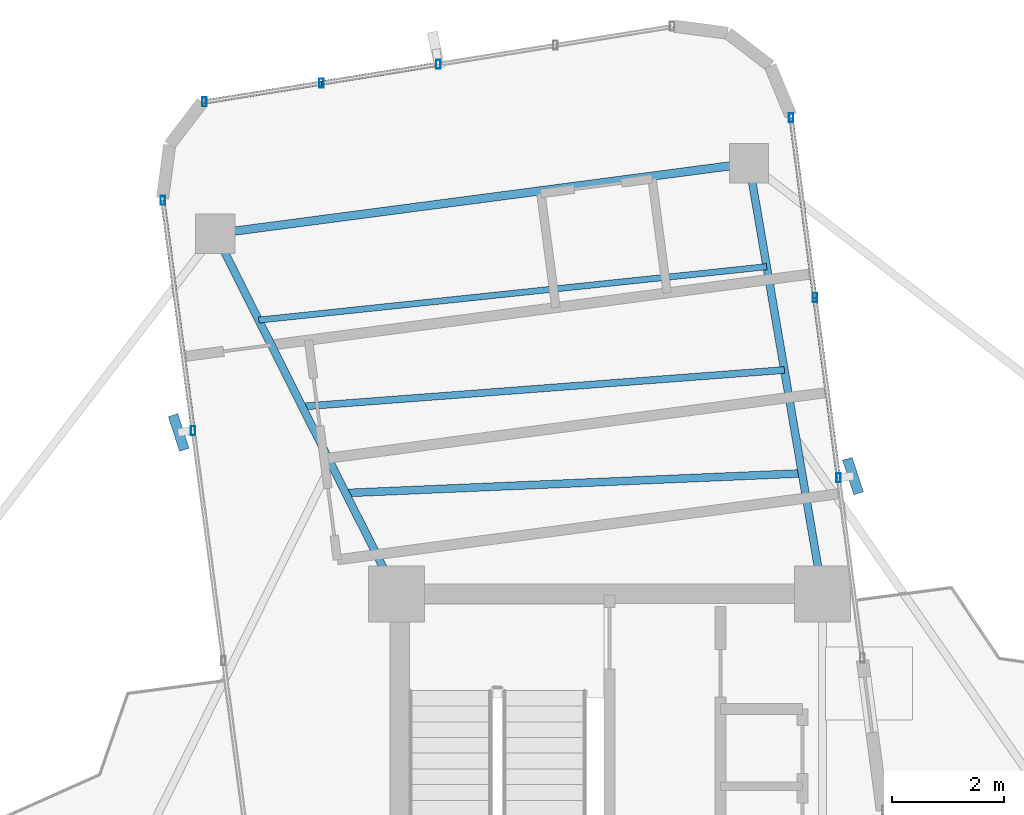
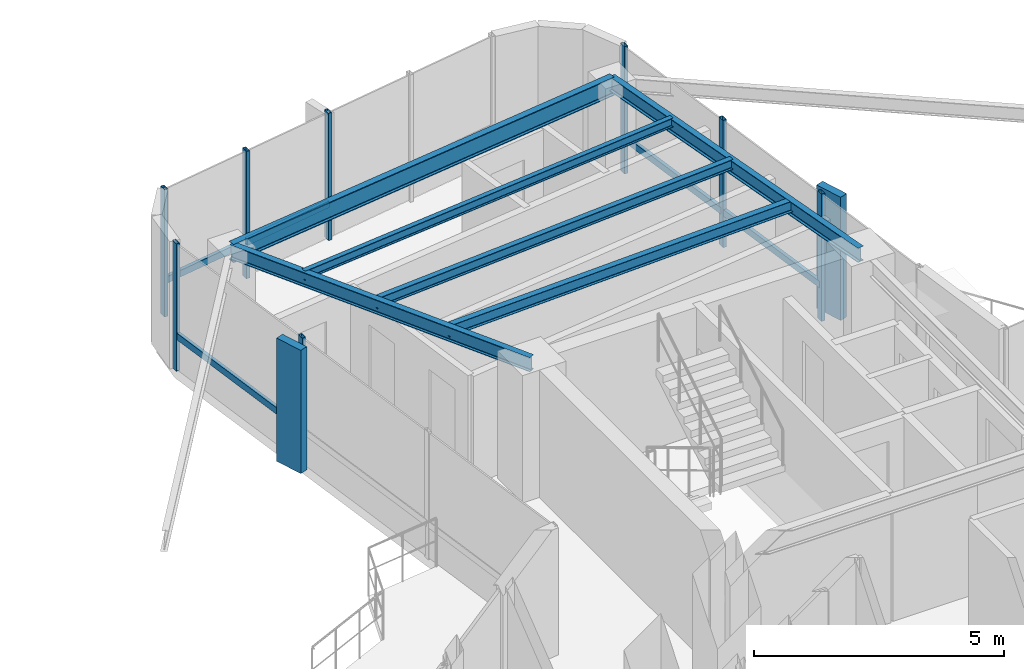
# One storey, part 13 of 21: 15 members, 6 beams, 3 elements without a shape of their own.
"""IFC4 building model written with IfcOpenShell, lengths in metres."""

import ifcopenshell
import ifcopenshell.guid

model = None  # the IFC model being written
_history = None  # IfcOwnerHistory: only IFC2X3 demands one
_inside = {}  # id of a spatial element -> (the spatial element, [elements in it])
_under = {}  # id of a project, library or spatial element -> (it, [spatial elements below it])
_declared = {}  # id of a project -> (the project, [libraries it declares])
_typed = {}  # id of a type object -> (the type object, [elements of that type])
_made_of = {}  # id of a material, layer set ... -> (it, [elements and type objects made of it])


def new_model(schema):
    """Start an empty IFC model of exactly this schema.

    Asked for "IFC4X3", IfcOpenShell would pick the latest addendum, in which some entities
    have other attributes; the version numbers below select the first issue.
    IFC2X3 requires an IfcOwnerHistory on every rooted entity: one is made here for all.
    """
    global model, _history
    if schema == "IFC4X3":
        model = ifcopenshell.file(schema_version=(4, 3, 0, 0))
    else:
        model = ifcopenshell.file(schema=schema)
    _inside.clear()
    _under.clear()
    _declared.clear()
    _typed.clear()
    _made_of.clear()
    _history = None
    if model.schema == "IFC2X3":
        org = make("IfcOrganization", Name="unknown")
        user = make(
            "IfcPersonAndOrganization",
            ThePerson=make("IfcPerson", FamilyName="unknown"),
            TheOrganization=org,
        )
        app = make(
            "IfcApplication",
            ApplicationDeveloper=org,
            Version="unknown",
            ApplicationFullName="unknown",
            ApplicationIdentifier="unknown",
        )
        _history = make(
            "IfcOwnerHistory",
            OwningUser=user,
            OwningApplication=app,
            ChangeAction="ADDED",
            CreationDate=0,
        )
    return model


def make(cls, **values):
    """One entity of the class cls with the attributes given. An attribute that is None is left unset."""
    return model.create_entity(
        cls, **{name: value for name, value in values.items() if value is not None}
    )


def rooted(cls, **values):
    """An entity with a GlobalId (a new one), such as an element, a storey or a relation."""
    return make(cls, GlobalId=ifcopenshell.guid.new(), OwnerHistory=_history, **values)


def si_unit(unit_type, name, prefix=None):
    """IfcSIUnit, for example si_unit("LENGTHUNIT", "METRE", prefix="MILLI")."""
    return make("IfcSIUnit", UnitType=unit_type, Prefix=prefix, Name=name)


def assignment(units):
    """IfcUnitAssignment: the units of a project."""
    return None if units is None else make("IfcUnitAssignment", Units=units)


def point(xyz):
    """IfcCartesianPoint."""
    return None if xyz is None else make("IfcCartesianPoint", Coordinates=xyz)


def direction(xyz):
    """IfcDirection."""
    return None if xyz is None else make("IfcDirection", DirectionRatios=xyz)


def frame(location, z_axis=None, x_axis=None):
    """IfcAxis2Placement3D, a coordinate frame: its origin and axes. An axis left out is left unset."""
    return make(
        "IfcAxis2Placement3D",
        Location=point(location),
        Axis=direction(z_axis),
        RefDirection=direction(x_axis),
    )


def frame_2d(location, x_axis=None):
    """IfcAxis2Placement2D, a coordinate frame in the plane: its origin and x axis."""
    return make(
        "IfcAxis2Placement2D", Location=point(location), RefDirection=direction(x_axis)
    )


def origin():
    """The frame at (0, 0, 0) with its axes left unset."""
    return frame((0.0, 0.0, 0.0))


def origin_2d():
    """The frame at (0, 0) in the plane with its x axis left unset."""
    return frame_2d((0.0, 0.0))


def place(relative_to, where):
    """IfcLocalPlacement: puts the frame where relative to a parent placement (None: the world)."""
    return make(
        "IfcLocalPlacement", PlacementRelTo=relative_to, RelativePlacement=where
    )


def context(
    kind, dimensions, precision=None, world=None, true_north=None, identifier=None
):
    """IfcGeometricRepresentationContext, for example the 3D "Model" context."""
    return make(
        "IfcGeometricRepresentationContext",
        ContextIdentifier=identifier,
        ContextType=kind,
        CoordinateSpaceDimension=dimensions,
        Precision=precision,
        WorldCoordinateSystem=world,
        TrueNorth=true_north,
    )


def subcontext(parent, identifier, kind, view, scale=None):
    """IfcGeometricRepresentationSubContext, for example "Body" below "Model"."""
    return make(
        "IfcGeometricRepresentationSubContext",
        ContextIdentifier=identifier,
        ContextType=kind,
        ParentContext=parent,
        TargetScale=scale,
        TargetView=view,
    )


def project(units=None, contexts=None):
    """IfcProject with its units and contexts."""
    return rooted(
        "IfcProject",
        Name="project",
        RepresentationContexts=contexts,
        UnitsInContext=assignment(units),
    )


def spatial(cls, under=None, at=None, **own):
    """A site, building, storey or space (cls), placed at a placement, below another one or the project."""
    s = rooted(cls, ObjectPlacement=at, **own)
    if under is not None:
        _under.setdefault(under.id(), (under, []))[1].append(s)
    return s


def profile(cls, at=None, kind="AREA", **sizes):
    """A parametric profile (cls). Its sizes go by their IFC names, for example OverallWidth=200.0."""
    return make(cls, ProfileType=kind, Position=at, **sizes)


def rectangle(**sizes):
    """IfcRectangleProfileDef."""
    return profile("IfcRectangleProfileDef", **sizes)


def hollow_rectangle(**sizes):
    """IfcRectangleHollowProfileDef."""
    return profile("IfcRectangleHollowProfileDef", **sizes)


def i_section(**sizes):
    """IfcIShapeProfileDef."""
    return profile("IfcIShapeProfileDef", **sizes)


def extrude(swept, where, along, depth):
    """IfcExtrudedAreaSolid: the profile swept, set in the frame where, extruded along a direction by depth."""
    return make(
        "IfcExtrudedAreaSolid",
        SweptArea=swept,
        Position=where,
        ExtrudedDirection=direction(along),
        Depth=depth,
    )


def shape(context_of_items, identifier, shape_type, items):
    """IfcShapeRepresentation: the items that make up one representation, for example the "Body"."""
    return make(
        "IfcShapeRepresentation",
        ContextOfItems=context_of_items,
        RepresentationIdentifier=identifier,
        RepresentationType=shape_type,
        Items=items,
    )


def source(mapping_origin, context_of_items, identifier, shape_type, items):
    """IfcRepresentationMap: a shape defined once, which mapped items show again and again."""
    return make(
        "IfcRepresentationMap",
        MappingOrigin=mapping_origin,
        MappedRepresentation=shape(context_of_items, identifier, shape_type, items),
    )


def transform(
    local_origin,
    x_axis=None,
    y_axis=None,
    z_axis=None,
    scale=None,
    scale2=None,
    scale3=None,
    uniform=True,
):
    """IfcCartesianTransformationOperator3D, or its non-uniform kind. x_axis, y_axis, z_axis: its Axis1, 2, 3."""
    if uniform:
        return make(
            "IfcCartesianTransformationOperator3D",
            Axis1=direction(x_axis),
            Axis2=direction(y_axis),
            LocalOrigin=point(local_origin),
            Scale=scale,
            Axis3=direction(z_axis),
        )
    return make(
        "IfcCartesianTransformationOperator3DnonUniform",
        Axis1=direction(x_axis),
        Axis2=direction(y_axis),
        LocalOrigin=point(local_origin),
        Scale=scale,
        Axis3=direction(z_axis),
        Scale2=scale2,
        Scale3=scale3,
    )


def mapped(mapping_source, mapping_target):
    """IfcMappedItem: shows the shape of a source again, moved by a transform."""
    return make(
        "IfcMappedItem", MappingSource=mapping_source, MappingTarget=mapping_target
    )


def material(Name=None, Category=None):
    """IfcMaterial."""
    return make("IfcMaterial", Name=Name, Category=Category)


def material_profile(
    of_material, cross_section, Name=None, Category=None, Priority=None
):
    """IfcMaterialProfile: a cross section and its material."""
    return make(
        "IfcMaterialProfile",
        Name=Name,
        Material=of_material,
        Profile=cross_section,
        Priority=Priority,
        Category=Category,
    )


def profile_set(profiles, Name=None, composite=None):
    """IfcMaterialProfileSet."""
    return make(
        "IfcMaterialProfileSet",
        Name=Name,
        MaterialProfiles=profiles,
        CompositeProfile=composite,
    )


def made_of(thing, what):
    """Note that an element or type object is made of a material, layer set ...; save() writes the relation."""
    if what is not None:
        _made_of.setdefault(what.id(), (what, []))[1].append(thing)
    return thing


def type_object(cls, material=None, **own):
    """A type object (cls), such as IfcWallType, which elements share."""
    return made_of(rooted(cls, **own), material)


def element(
    cls,
    number,
    at=None,
    inside=None,
    cuts=None,
    type_object=None,
    material=None,
    context=None,
    identifier="Body",
    shape_type=None,
    held_by="IfcProductDefinitionShape",
    body=None,
    shapes=None,
    **own,
):
    """One element of the class cls, such as IfcWall. Its Tag is "e" and its number.

    at: its placement. inside: the storey or other place that contains it. cuts: it is an
    opening in that element (IfcRelVoidsElement). A single representation is given by context,
    identifier, shape_type and body (its items); several are given by shapes. held_by: the class
    of the entity that holds the representations. save() writes the other relations.
    """
    e = rooted(cls, Tag="e%d" % number, ObjectPlacement=at, **own)
    if body is not None:
        shapes = [shape(context, identifier, shape_type, body)]
    if shapes is not None:
        e.Representation = make(held_by, Representations=shapes)
    if inside is not None:
        _inside.setdefault(inside.id(), (inside, []))[1].append(e)
    if cuts is not None:
        rooted(
            "IfcRelVoidsElement", RelatingBuildingElement=cuts, RelatedOpeningElement=e
        )
    if type_object is not None:
        _typed.setdefault(type_object.id(), (type_object, []))[1].append(e)
    return made_of(e, material)


def aggregate(whole, parts):
    """IfcRelAggregates: a whole, such as a stair, and the parts it consists of."""
    return rooted("IfcRelAggregates", RelatingObject=whole, RelatedObjects=parts)


def save(model, path):
    """Write the relations noted so far, then the file.

    IfcRelAggregates (storeys below a building ...), IfcRelContainedInSpatialStructure (elements
    in a storey), IfcRelDefinesByType, IfcRelAssociatesMaterial and IfcRelDeclares: one each for
    every whole, place, type object, material and project.
    """
    for whole, parts in _under.values():
        aggregate(whole, parts)
    for where, things in _inside.values():
        rooted(
            "IfcRelContainedInSpatialStructure",
            RelatedElements=things,
            RelatingStructure=where,
        )
    for kind, things in _typed.values():
        rooted("IfcRelDefinesByType", RelatedObjects=things, RelatingType=kind)
    for what, things in _made_of.values():
        rooted("IfcRelAssociatesMaterial", RelatedObjects=things, RelatingMaterial=what)
    for by, libraries in _declared.values():
        rooted("IfcRelDeclares", RelatingContext=by, RelatedDefinitions=libraries)
    model.write(path)


model = new_model("IFC4")

# Units and contexts
model_context = context("Model", 3, precision=1e-05, world=origin(), true_north=direction((0.0, 1.0)))
body_context = subcontext(model_context, "Body", "Model", "MODEL_VIEW")
ifc_project = project(units=[si_unit("LENGTHUNIT", "METRE"), si_unit("AREAUNIT", "SQUARE_METRE"), si_unit("VOLUMEUNIT", "CUBIC_METRE"), si_unit("PLANEANGLEUNIT", "RADIAN"), si_unit("MASSUNIT", "GRAM", prefix="KILO")], contexts=[model_context])

# Site, building, storey
site_placement = place(None, origin())
site = spatial("IfcSite", under=ifc_project, at=site_placement, CompositionType="ELEMENT")
building_placement = place(site_placement, origin())
building = spatial("IfcBuilding", under=site, at=building_placement, Name="Sahyath Konkavel Grand Hotel", CompositionType="ELEMENT")
storey_placement = place(building_placement, frame((0.0, 0.0, 209.85009765625)))
storey = spatial("IfcBuildingStorey", under=building, at=storey_placement, Name="L58", CompositionType="ELEMENT", Elevation=209.85009765625)

# Beams
ifc_material_1 = material(Name="Steel E350", Category="steel")
ifc_material_profile_1 = material_profile(ifc_material_1, i_section(OverallWidth=0.139892578125, OverallDepth=0.35009765625, WebThickness=0.008056640625, FlangeThickness=0.01416015625, FilletRadius=0.013916015625, at=origin_2d()), Name="ISMB 350")
ifc_profile_set_1 = profile_set([ifc_material_profile_1], Name="Steel E350")
beam_type_1 = type_object("IfcBeamType", Name="BM-ISMB350", PredefinedType="BEAM", material=ifc_profile_set_1)
shared_shape_1 = source(origin(), body_context, "Body", "SweptSolid", [
    extrude(i_section(OverallWidth=0.139892578125, OverallDepth=0.35009765625, WebThickness=0.008056640625, FlangeThickness=0.01416015625, FilletRadius=0.013916015625, at=origin_2d()), origin(), (0.0, 0.0, 1.0), 7.7890625),
])
beam_1_placement = place(storey_placement, frame((3.800048828125, 10.199951171875, 2.934814453125), z_axis=(-0.168473997649, 0.985706098244, 0.0), x_axis=(-0.985706098244, -0.168473997649, 0.0)))
element("IfcBeam", 1, at=beam_1_placement, inside=storey, type_object=beam_type_1, Name="L58 Cruciform Radial Girder NA", PredefinedType="BEAM", context=body_context, shape_type="MappedRepresentation", body=[
    mapped(shared_shape_1, transform((0.0, 0.0, 0.0), scale=1.0)),
])
shared_shape_2 = source(origin(), body_context, "Body", "SweptSolid", [
    extrude(i_section(OverallWidth=0.139892578125, OverallDepth=0.35009765625, WebThickness=0.008056640625, FlangeThickness=0.01416015625, FilletRadius=0.013916015625, at=origin_2d()), origin(), (0.0, 0.0, 1.0), 7.19091796875),
])
beam_2_placement = place(storey_placement, frame((-3.800048828125, 10.199951171875, 2.934814453125), z_axis=(-0.4491817134, 0.893440422383, 0.0), x_axis=(-0.893440422383, -0.4491817134, 0.0)))
element("IfcBeam", 2, at=beam_2_placement, inside=storey, type_object=beam_type_1, Name="L58 Cruciform Radial Girder NB", PredefinedType="BEAM", context=body_context, shape_type="MappedRepresentation", body=[
    mapped(shared_shape_2, transform((0.0, 0.0, 0.0), scale=1.0)),
])
ifc_material_profile_2 = material_profile(ifc_material_1, i_section(OverallWidth=0.14990234375, OverallDepth=0.449951171875, WebThickness=0.009521484375, FlangeThickness=0.017333984375, FilletRadius=0.014892578125, at=origin_2d()), Name="ISMB 450")
ifc_profile_set_2 = profile_set([ifc_material_profile_2], Name="Steel E350")
beam_type_2 = type_object("IfcBeamType", Name="BM-ISMB450", PredefinedType="BEAM", material=ifc_profile_set_2)
shared_shape_3 = source(origin(), body_context, "Body", "SweptSolid", [
    extrude(i_section(OverallWidth=0.14990234375, OverallDepth=0.449951171875, WebThickness=0.009521484375, FlangeThickness=0.017333984375, FilletRadius=0.014892578125, at=origin_2d()), origin(), (0.0, 0.0, 1.0), 9.599853515625),
])
beam_3_placement = place(storey_placement, frame((2.48779296875, 17.877685546875, 2.885009765625), z_axis=(-0.991443125639, -0.130539375757, 0.0), x_axis=(0.130539375757, -0.991443125639, 0.0)))
element("IfcBeam", 3, at=beam_3_placement, inside=storey, type_object=beam_type_2, Name="L58 Wing Tip Edge Beam N", PredefinedType="BEAM", context=body_context, shape_type="MappedRepresentation", body=[
    mapped(shared_shape_3, transform((0.0, 0.0, 0.0), scale=1.0)),
])
ifc_material_profile_3 = material_profile(ifc_material_1, i_section(OverallWidth=0.139892578125, OverallDepth=0.27490234375, WebThickness=0.00634765625, FlangeThickness=0.0087890625, FilletRadius=0.012939453125, at=origin_2d()), Name="ISLB 275")
ifc_profile_set_3 = profile_set([ifc_material_profile_3], Name="Steel E350")
beam_type_3 = type_object("IfcBeamType", Name="BM-ISLB275", PredefinedType="BEAM", material=ifc_profile_set_3)
shared_shape_4 = source(origin(), body_context, "Body", "SweptSolid", [
    extrude(i_section(OverallWidth=0.139892578125, OverallDepth=0.27490234375, WebThickness=0.00634765625, FlangeThickness=0.0087890625, FilletRadius=0.012939453125, at=origin_2d()), origin(), (0.0, 0.0, 1.0), 8.14453125),
])
beam_4_placement = place(storey_placement, frame((3.4326171875, 12.349853515625, 2.972412109375), z_axis=(-0.999070525707, -0.043105506195, 0.0), x_axis=(0.043105506195, -0.999070525707, 0.0)))
element("IfcBeam", 4, at=beam_4_placement, inside=storey, type_object=beam_type_3, Name="L58 Secondary Floor Beam N-1", PredefinedType="BEAM", context=body_context, shape_type="MappedRepresentation", body=[
    mapped(shared_shape_4, transform((0.0, 0.0, 0.0), scale=1.0)),
])
ifc_material_profile_4 = material_profile(ifc_material_1, i_section(OverallWidth=0.125, OverallDepth=0.25, WebThickness=0.0068359375, FlangeThickness=0.012451171875, FilletRadius=0.012939453125, at=origin_2d()), Name="ISMB 250")
ifc_profile_set_4 = profile_set([ifc_material_profile_4], Name="Steel E350")
beam_type_4 = type_object("IfcBeamType", Name="BM-ISMB250", PredefinedType="BEAM", material=ifc_profile_set_4)
shared_shape_5 = source(origin(), body_context, "Body", "SweptSolid", [
    extrude(i_section(OverallWidth=0.125, OverallDepth=0.25, WebThickness=0.0068359375, FlangeThickness=0.012451171875, FilletRadius=0.012939453125, at=origin_2d()), origin(), (0.0, 0.0, 1.0), 8.6220703125),
])
beam_5_placement = place(storey_placement, frame((3.11767578125, 14.1923828125, 2.98486328125), z_axis=(-0.997140134449, -0.075574812405, 0.0), x_axis=(0.075574812405, -0.997140134449, 0.0)))
element("IfcBeam", 5, at=beam_5_placement, inside=storey, type_object=beam_type_4, Name="L58 Secondary Floor Beam N-2", PredefinedType="BEAM", context=body_context, shape_type="MappedRepresentation", body=[
    mapped(shared_shape_5, transform((0.0, 0.0, 0.0), scale=1.0)),
])
ifc_material_profile_5 = material_profile(ifc_material_1, i_section(OverallWidth=0.110107421875, OverallDepth=0.22509765625, WebThickness=0.006591796875, FlangeThickness=0.01171875, FilletRadius=0.011962890625, at=origin_2d()), Name="ISMB 225")
ifc_profile_set_5 = profile_set([ifc_material_profile_5], Name="Steel E350")
beam_type_5 = type_object("IfcBeamType", Name="BM-ISMB225", PredefinedType="BEAM", material=ifc_profile_set_5)
shared_shape_6 = source(origin(), body_context, "Body", "SweptSolid", [
    extrude(i_section(OverallWidth=0.110107421875, OverallDepth=0.22509765625, WebThickness=0.006591796875, FlangeThickness=0.01171875, FilletRadius=0.011962890625, at=origin_2d()), origin(), (0.0, 0.0, 1.0), 9.107666015625),
])
beam_6_placement = place(storey_placement, frame((2.802734375, 16.03515625, 2.997314453125), z_axis=(-0.994517344132, -0.10457175632, 0.0), x_axis=(0.10457175632, -0.994517344132, 0.0)))
element("IfcBeam", 6, at=beam_6_placement, inside=storey, type_object=beam_type_5, Name="L58 Secondary Floor Beam N-3", PredefinedType="BEAM", context=body_context, shape_type="MappedRepresentation", body=[
    mapped(shared_shape_6, transform((0.0, 0.0, 0.0), scale=1.0)),
])

# Curtain wall, members
ifc_material_2 = material(Name="Anodised Bronze Aluminium & Low-E Glazing", Category="aluminium")
curtain_wall_type = type_object("IfcCurtainWallType", Name="CW-ZONE4", PredefinedType="NOTDEFINED", material=ifc_material_2)
curtain_wall_1_placement = place(storey_placement, origin())
curtain_wall_1 = element("IfcCurtainWall", 7, at=curtain_wall_1_placement, inside=storey, type_object=curtain_wall_type, Name="L58 Unitised Curtain Wall F8", PredefinedType="NOTDEFINED")
ifc_material_3 = material(Name="Anodised Bronze Aluminium", Category="aluminium")
ifc_material_profile_6 = material_profile(ifc_material_3, hollow_rectangle(XDim=0.080078125, YDim=0.159912109375, WallThickness=0.006103515625, at=origin_2d()), Name="RHS 160x80x6")
ifc_profile_set_6 = profile_set([ifc_material_profile_6], Name="Anodised Bronze Aluminium")
member_type_1 = type_object("IfcMemberType", Name="CW-MUL-160", PredefinedType="MULLION", material=ifc_profile_set_6)
shared_shape_7 = source(origin(), body_context, "Body", "SweptSolid", [
    extrude(hollow_rectangle(XDim=0.080078125, YDim=0.159912109375, WallThickness=0.006103515625, at=origin_2d()), origin(), (0.0, 0.0, 1.0), 3.10986328125),
])
member_1_placement = place(storey_placement, frame((4.083740234375, 12.26806640625, 0.0), z_axis=(0.0, 0.0, 1.0), x_axis=(1.0, 0.0, 0.0)))
member_1 = element("IfcMember", 8, at=member_1_placement, type_object=member_type_1, Name="L58 Curtain Wall Mullion F8-1", PredefinedType="MULLION", context=body_context, shape_type="MappedRepresentation", body=[
    mapped(shared_shape_7, transform((0.0, 0.0, 0.0), scale=1.0)),
])
member_2_placement = place(storey_placement, frame((3.66064453125, 15.480224609375, 0.0), z_axis=(0.0, 0.0, 1.0), x_axis=(1.0, 0.0, 0.0)))
member_2 = element("IfcMember", 9, at=member_2_placement, type_object=member_type_1, Name="L58 Curtain Wall Mullion F8-2", PredefinedType="MULLION", context=body_context, shape_type="MappedRepresentation", body=[
    mapped(shared_shape_7, transform((0.0, 0.0, 0.0), scale=1.0)),
])
member_3_placement = place(storey_placement, frame((3.23779296875, 18.6923828125, 0.0), z_axis=(0.0, 0.0, 1.0), x_axis=(1.0, 0.0, 0.0)))
member_3 = element("IfcMember", 10, at=member_3_placement, type_object=member_type_1, Name="L58 Curtain Wall Mullion F8-3", PredefinedType="MULLION", context=body_context, shape_type="MappedRepresentation", body=[
    mapped(shared_shape_7, transform((0.0, 0.0, 0.0), scale=1.0)),
])

curtain_wall_2_placement = place(storey_placement, origin())
curtain_wall_2 = element("IfcCurtainWall", 11, at=curtain_wall_2_placement, inside=storey, type_object=curtain_wall_type, Name="L58 Unitised Curtain Wall F12", PredefinedType="NOTDEFINED")
member_4_placement = place(storey_placement, frame((-3.052734375, 19.6455078125, 0.0), z_axis=(0.0, 0.0, 1.0), x_axis=(1.0, 0.0, 0.0)))
member_4 = element("IfcMember", 12, at=member_4_placement, type_object=member_type_1, Name="L58 Curtain Wall Mullion F12-2", PredefinedType="MULLION", context=body_context, shape_type="MappedRepresentation", body=[
    mapped(shared_shape_7, transform((0.0, 0.0, 0.0), scale=1.0)),
])
member_5_placement = place(storey_placement, frame((-5.137939453125, 19.30908203125, 0.0), z_axis=(0.0, 0.0, 1.0), x_axis=(1.0, 0.0, 0.0)))
member_5 = element("IfcMember", 13, at=member_5_placement, type_object=member_type_1, Name="L58 Curtain Wall Mullion F12-3", PredefinedType="MULLION", context=body_context, shape_type="MappedRepresentation", body=[
    mapped(shared_shape_7, transform((0.0, 0.0, 0.0), scale=1.0)),
])
member_6_placement = place(storey_placement, frame((-7.22314453125, 18.972900390625, 0.0), z_axis=(0.0, 0.0, 1.0), x_axis=(1.0, 0.0, 0.0)))
member_6 = element("IfcMember", 14, at=member_6_placement, type_object=member_type_1, Name="L58 Curtain Wall Mullion F12-4", PredefinedType="MULLION", context=body_context, shape_type="MappedRepresentation", body=[
    mapped(shared_shape_7, transform((0.0, 0.0, 0.0), scale=1.0)),
])

curtain_wall_3_placement = place(storey_placement, origin())
curtain_wall_3 = element("IfcCurtainWall", 15, at=curtain_wall_3_placement, inside=storey, type_object=curtain_wall_type, Name="L58 Unitised Curtain Wall F15", PredefinedType="NOTDEFINED")
member_7_placement = place(storey_placement, frame((-7.965576171875, 17.217529296875, 0.0), z_axis=(0.0, 0.0, 1.0), x_axis=(1.0, 0.0, 0.0)))
member_7 = element("IfcMember", 16, at=member_7_placement, type_object=member_type_1, Name="L58 Curtain Wall Mullion F15-0", PredefinedType="MULLION", context=body_context, shape_type="MappedRepresentation", body=[
    mapped(shared_shape_7, transform((0.0, 0.0, 0.0), scale=1.0)),
])
member_8_placement = place(storey_placement, frame((-7.425048828125, 13.113037109375, 0.0), z_axis=(0.0, 0.0, 1.0), x_axis=(1.0, 0.0, 0.0)))
member_8 = element("IfcMember", 17, at=member_8_placement, type_object=member_type_1, Name="L58 Curtain Wall Mullion F15-1", PredefinedType="MULLION", context=body_context, shape_type="MappedRepresentation", body=[
    mapped(shared_shape_7, transform((0.0, 0.0, 0.0), scale=1.0)),
])

# Member
ifc_material_4 = material(Name="Warm Buff Sandstone Cladding on Concrete C50/60", Category="masonry")
ifc_material_profile_7 = material_profile(ifc_material_4, rectangle(XDim=0.179931640625, YDim=0.64990234375, at=origin_2d()), Name="FIN 180x650")
ifc_profile_set_7 = profile_set([ifc_material_profile_7], Name="Warm Buff Sandstone Cladding on Concrete C50/60")
member_type_2 = type_object("IfcMemberType", Name="FIN-SANDSTONE-650", PredefinedType="MULLION", material=ifc_profile_set_7)
shared_shape_8 = source(origin(), body_context, "Body", "SweptSolid", [
    extrude(rectangle(XDim=0.179931640625, YDim=0.64990234375, at=origin_2d()), origin(), (0.0, 0.0, 1.0), 3.010009765625),
])
member_9_placement = place(storey_placement, frame((4.341552734375, 12.302001953125, 0.0498046875), z_axis=(0.0, 0.0, 1.0), x_axis=(0.951164325631, 0.308684994204, 0.0)))
member_9 = element("IfcMember", 18, at=member_9_placement, type_object=member_type_2, Name="L58 Sandstone Vertical Solar Fin FIN F8-1", PredefinedType="MULLION", context=body_context, shape_type="MappedRepresentation", body=[
    mapped(shared_shape_8, transform((0.0, 0.0, 0.0), scale=1.0)),
])

member_10_placement = place(storey_placement, frame((-7.682861328125, 13.0791015625, 0.0498046875), z_axis=(0.0, 0.0, 1.0), x_axis=(0.951164325631, 0.308684994204, 0.0)))
member_10 = element("IfcMember", 19, at=member_10_placement, type_object=member_type_2, Name="L58 Sandstone Vertical Solar Fin FIN F15-1", PredefinedType="MULLION", context=body_context, shape_type="MappedRepresentation", body=[
    mapped(shared_shape_8, transform((0.0, 0.0, 0.0), scale=1.0)),
])

ifc_material_profile_8 = material_profile(ifc_material_3, hollow_rectangle(XDim=0.080078125, YDim=0.159912109375, WallThickness=0.006103515625, at=origin_2d()), Name="RHS 160x80x6")
ifc_profile_set_8 = profile_set([ifc_material_profile_8], Name="Anodised Bronze Aluminium")
member_type_3 = type_object("IfcMemberType", Name="CW-TRN-160", PredefinedType="USERDEFINED", material=ifc_profile_set_8)
shared_shape_9 = source(origin(), body_context, "Body", "SweptSolid", [
    extrude(hollow_rectangle(XDim=0.080078125, YDim=0.159912109375, WallThickness=0.006103515625, at=origin_2d()), origin(), (0.0, 0.0, 1.0), 3.239990234375),
])
member_11_placement = place(storey_placement, frame((4.083740234375, 12.26806640625, 0.849853515625), z_axis=(-0.130589010341, 0.991436589187, 0.0), x_axis=(-0.991436589187, -0.130589010341, 0.0)))
member_11 = element("IfcMember", 20, at=member_11_placement, type_object=member_type_3, Name="L58 Curtain Wall Transom F8-1-spandrel", ObjectType="TRANSOM", PredefinedType="USERDEFINED", context=body_context, shape_type="MappedRepresentation", body=[
    mapped(shared_shape_9, transform((0.0, 0.0, 0.0), scale=1.0)),
])

member_12_placement = place(storey_placement, frame((3.66064453125, 15.480224609375, 0.849853515625), z_axis=(-0.130514939997, 0.991446342692, 0.0), x_axis=(-0.991446342692, -0.130514939997, 0.0)))
member_12 = element("IfcMember", 21, at=member_12_placement, type_object=member_type_3, Name="L58 Curtain Wall Transom F8-2-spandrel", ObjectType="TRANSOM", PredefinedType="USERDEFINED", context=body_context, shape_type="MappedRepresentation", body=[
    mapped(shared_shape_9, transform((0.0, 0.0, 0.0), scale=1.0)),
])

aggregate(curtain_wall_1, [member_1, member_9, member_2, member_3, member_11, member_12])

shared_shape_10 = source(origin(), body_context, "Body", "SweptSolid", [
    extrude(hollow_rectangle(XDim=0.080078125, YDim=0.159912109375, WallThickness=0.006103515625, at=origin_2d()), origin(), (0.0, 0.0, 1.0), 2.112060546875),
])
member_13_placement = place(storey_placement, frame((-3.052734375, 19.6455078125, 0.849853515625), z_axis=(-0.987233499712, -0.159279681841, 0.0), x_axis=(0.159279681841, -0.987233499712, 0.0)))
member_13 = element("IfcMember", 22, at=member_13_placement, type_object=member_type_3, Name="L58 Curtain Wall Transom F12-2-spandrel", ObjectType="TRANSOM", PredefinedType="USERDEFINED", context=body_context, shape_type="MappedRepresentation", body=[
    mapped(shared_shape_10, transform((0.0, 0.0, 0.0), scale=1.0)),
])

member_14_placement = place(storey_placement, frame((-5.137939453125, 19.30908203125, 0.849853515625), z_axis=(-0.98725166933, -0.159167023612, 0.0), x_axis=(0.159167023612, -0.98725166933, 0.0)))
member_14 = element("IfcMember", 23, at=member_14_placement, type_object=member_type_3, Name="L58 Curtain Wall Transom F12-3-spandrel", ObjectType="TRANSOM", PredefinedType="USERDEFINED", context=body_context, shape_type="MappedRepresentation", body=[
    mapped(shared_shape_10, transform((0.0, 0.0, 0.0), scale=1.0)),
])

aggregate(curtain_wall_2, [member_4, member_5, member_6, member_13, member_14])

shared_shape_11 = source(origin(), body_context, "Body", "SweptSolid", [
    extrude(hollow_rectangle(XDim=0.080078125, YDim=0.159912109375, WallThickness=0.006103515625, at=origin_2d()), origin(), (0.0, 0.0, 1.0), 4.139892578125),
])
member_15_placement = place(storey_placement, frame((-7.965576171875, 17.217529296875, 0.849853515625), z_axis=(0.130564346904, -0.991439837467, 0.0), x_axis=(0.991439837467, 0.130564346904, 0.0)))
member_15 = element("IfcMember", 24, at=member_15_placement, type_object=member_type_3, Name="L58 Curtain Wall Transom F15-0-spandrel", ObjectType="TRANSOM", PredefinedType="USERDEFINED", context=body_context, shape_type="MappedRepresentation", body=[
    mapped(shared_shape_11, transform((0.0, 0.0, 0.0), scale=1.0)),
])

aggregate(curtain_wall_3, [member_7, member_8, member_10, member_15])

save(model, "model.ifc")
